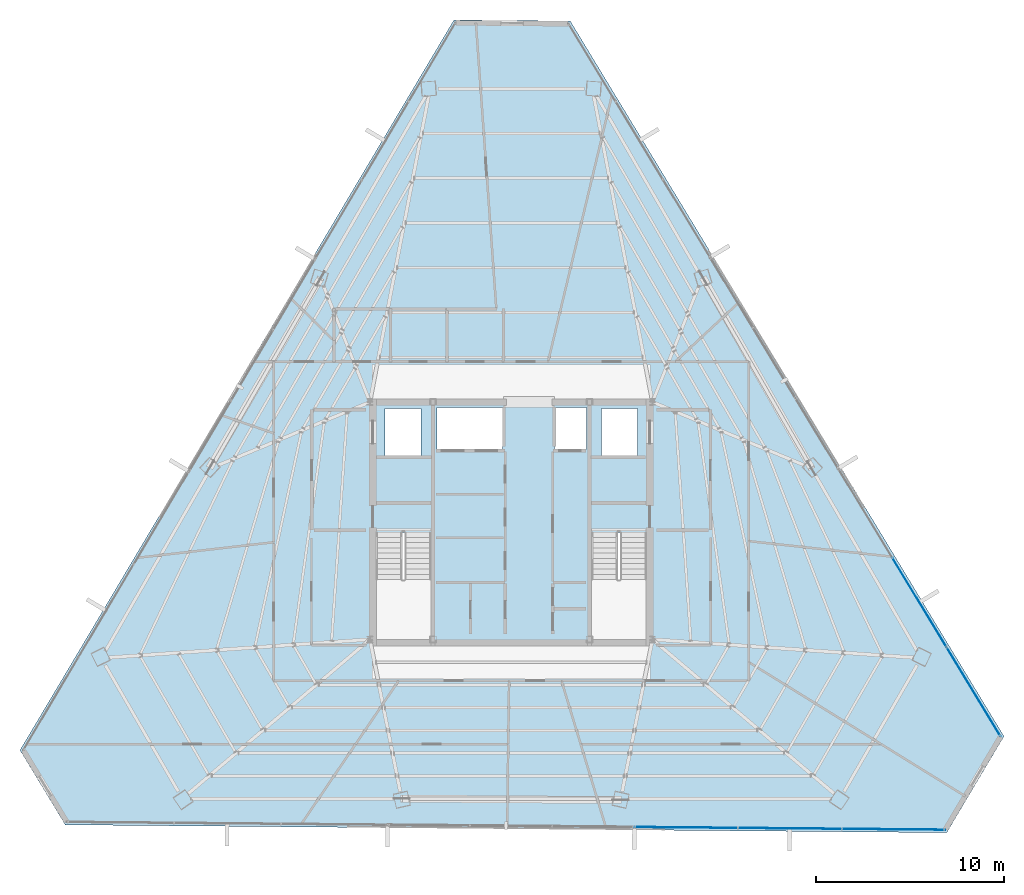
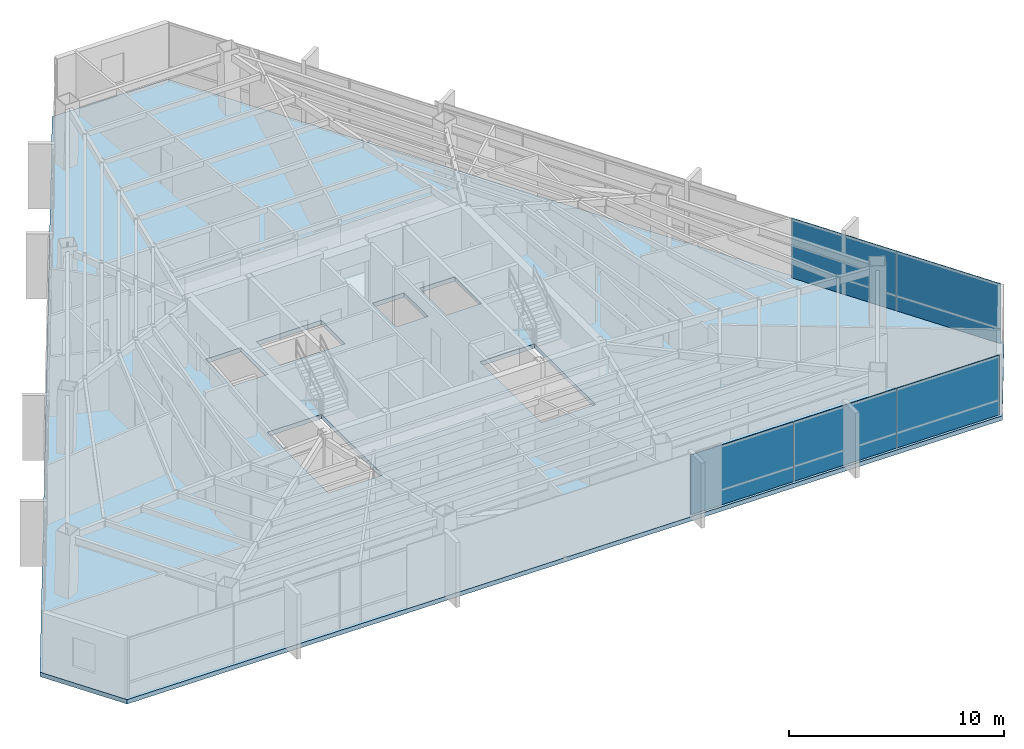
# One storey, part 38 of 49: 5 plates, 1 slab, 2 elements without a shape of their own.
"""IFC4 building model written with IfcOpenShell, lengths in metres."""

from ifc_helpers import new_model, si_unit, direction, frame, origin, origin_2d, place, context, subcontext, project, spatial, polyline, rectangle, outline, extrude, source, transform, mapped, material, layer, layer_set, type_object, type_shapes, element, aggregate, save


model = new_model("IFC4")

# Units and contexts
model_context = context("Model", 3, precision=1e-05, world=origin(), true_north=direction((0.0, 1.0)))
body_context = subcontext(model_context, "Body", "Model", "MODEL_VIEW")
ifc_project = project(units=[si_unit("LENGTHUNIT", "METRE"), si_unit("AREAUNIT", "SQUARE_METRE"), si_unit("VOLUMEUNIT", "CUBIC_METRE"), si_unit("PLANEANGLEUNIT", "RADIAN"), si_unit("MASSUNIT", "GRAM", prefix="KILO")], contexts=[model_context])

# Site, building, storey
site_placement = place(None, origin())
site = spatial("IfcSite", under=ifc_project, at=site_placement, CompositionType="ELEMENT")
building_placement = place(site_placement, origin())
building = spatial("IfcBuilding", under=site, at=building_placement, Name="Caelisora Broadcast Tower", CompositionType="ELEMENT")
storey_placement = place(building_placement, frame((0.0, 0.0, 233.5)))
storey = spatial("IfcBuildingStorey", under=building, at=storey_placement, Name="L61", CompositionType="ELEMENT", Elevation=233.5)

# Slab
ifc_material_1 = material(Name="Concrete 40 MPa (AS 3600 N40)", Category="concrete")
ifc_layer_1 = layer(ifc_material_1, 0.25, Name="Concrete 40 MPa (AS 3600 N40)")
ifc_layer_set_1 = layer_set([ifc_layer_1], Name="Concrete 40 MPa (AS 3600 N40)")
slab_type = type_object("IfcSlabType", Name="SL04", PredefinedType="FLOOR", material=ifc_layer_set_1)
slab_placement = place(storey_placement, frame((0.0, 0.0, -0.25)))
element("IfcSlab", 1, at=slab_placement, inside=storey, type_object=slab_type, Name="L61 suspended floor SL04", PredefinedType="FLOOR", context=body_context, shape_type="SweptSolid", body=[
    extrude(outline(polyline([(41.134033203125, 50.22607421875), (34.9609375, 50.281005859375), (11.926025390625, 11.52099609375), (14.327880859375, 7.55908203125), (61.1201171875, 7.14208984375), (64.158935546875, 12.256103515625), (41.134033203125, 50.22607421875)]), holes=[polyline([(30.820068359375, 17.39990234375), (33.739990234375, 17.39990234375), (33.739990234375, 23.080078125), (30.820068359375, 23.080078125), (30.820068359375, 17.39990234375)]), polyline([(42.260009765625, 17.39990234375), (45.179931640625, 17.39990234375), (45.179931640625, 23.080078125), (42.260009765625, 23.080078125), (42.260009765625, 17.39990234375)]), polyline([(42.800048828125, 27.14990234375), (44.699951171875, 27.14990234375), (44.699951171875, 29.64990234375), (42.800048828125, 29.64990234375), (42.800048828125, 27.14990234375)]), polyline([(40.300048828125, 27.5), (42.0, 27.5), (42.0, 29.699951171875), (40.300048828125, 29.699951171875), (40.300048828125, 27.5)]), polyline([(34.050048828125, 27.5), (37.550048828125, 27.5), (37.550048828125, 29.699951171875), (34.050048828125, 29.699951171875), (34.050048828125, 27.5)]), polyline([(31.300048828125, 27.14990234375), (33.199951171875, 27.14990234375), (33.199951171875, 29.64990234375), (31.300048828125, 29.64990234375), (31.300048828125, 27.14990234375)])]), origin(), (0.0, 0.0, 1.0), 0.25),
])

# Curtain wall, plates
ifc_material_2 = material(Name="Unitised Aluminium and Low-E Glass Curtain Wall", Category="glass")
curtain_wall_type = type_object("IfcCurtainWallType", Name="CW-Z5", PredefinedType="NOTDEFINED", material=ifc_material_2)
curtain_wall_1_placement = place(storey_placement, origin())
curtain_wall_1 = element("IfcCurtainWall", 2, at=curtain_wall_1_placement, inside=storey, type_object=curtain_wall_type, Name="L61 curtain wall CW-Z5", PredefinedType="NOTDEFINED")
ifc_material_3 = material(Name="Double Glazed Low-E Argon IGU", Category="glass")
ifc_layer_2 = layer(ifc_material_3, 0.028076171875, Name="Double Glazed Low-E Argon IGU")
ifc_layer_set_2 = layer_set([ifc_layer_2], Name="Double Glazed Low-E Argon IGU")
plate_type = type_object("IfcPlateType", Name="CWP-06", PredefinedType="CURTAIN_PANEL", material=ifc_layer_set_2)
shared_shape_1 = source(origin(), body_context, "Body", "SweptSolid", [
    extrude(rectangle(XDim=5.544921875, YDim=0.028076171875, at=origin_2d()), origin(), (0.0, 0.0, 1.0), 3.39990234375),
])
plate_1_placement = place(storey_placement, frame((59.67138671875, 19.3671875, 0.0), z_axis=(0.0, 0.0, 1.0), x_axis=(0.518474806022, -0.855092904614, 0.0)))
plate_1 = element("IfcPlate", 3, at=plate_1_placement, type_object=plate_type, Name="L61-CW-B03 glazed panel #2", PredefinedType="CURTAIN_PANEL", context=body_context, shape_type="MappedRepresentation", body=[
    mapped(shared_shape_1, transform((0.0, 0.0, 0.0), scale=1.0)),
])
plate_2_placement = place(storey_placement, frame((62.54638671875, 14.625732421875, 0.0), z_axis=(0.0, 0.0, 1.0), x_axis=(0.518474806022, -0.855092904614, 0.0)))
plate_2 = element("IfcPlate", 4, at=plate_2_placement, type_object=plate_type, Name="L61-CW-B03 glazed panel #3", PredefinedType="CURTAIN_PANEL", context=body_context, shape_type="MappedRepresentation", body=[
    mapped(shared_shape_1, transform((0.0, 0.0, 0.0), scale=1.0)),
])
aggregate(curtain_wall_1, [plate_1, plate_2])

curtain_wall_2_placement = place(storey_placement, origin())
curtain_wall_2 = element("IfcCurtainWall", 5, at=curtain_wall_2_placement, inside=storey, type_object=curtain_wall_type, Name="L61 curtain wall CW-Z5", PredefinedType="NOTDEFINED")
shared_shape_2 = source(origin(), body_context, "Body", "SweptSolid", [
    extrude(rectangle(XDim=5.497314453125, YDim=0.028076171875, at=origin_2d()), origin(), (0.0, 0.0, 1.0), 3.39990234375),
])
type_shapes(plate_type, [shared_shape_1, shared_shape_2])
plate_3_placement = place(storey_placement, frame((58.28662109375, 7.3173828125, 0.0), z_axis=(0.0, 0.0, 1.0), x_axis=(-0.999960384766, 0.008901061644, 0.0)))
plate_3 = element("IfcPlate", 6, at=plate_3_placement, type_object=plate_type, Name="L61-CW-B05 glazed panel #1", PredefinedType="CURTAIN_PANEL", context=body_context, shape_type="MappedRepresentation", body=[
    mapped(shared_shape_2, transform((0.0, 0.0, 0.0), scale=1.0)),
])
plate_4_placement = place(storey_placement, frame((52.78955078125, 7.366455078125, 0.0), z_axis=(0.0, 0.0, 1.0), x_axis=(-0.999960384766, 0.008901061644, 0.0)))
plate_4 = element("IfcPlate", 7, at=plate_4_placement, type_object=plate_type, Name="L61-CW-B05 glazed panel #2", PredefinedType="CURTAIN_PANEL", context=body_context, shape_type="MappedRepresentation", body=[
    mapped(shared_shape_2, transform((0.0, 0.0, 0.0), scale=1.0)),
])
plate_5_placement = place(storey_placement, frame((47.29248046875, 7.415283203125, 0.0), z_axis=(0.0, 0.0, 1.0), x_axis=(-0.999960384766, 0.008901061644, 0.0)))
plate_5 = element("IfcPlate", 8, at=plate_5_placement, type_object=plate_type, Name="L61-CW-B05 glazed panel #3", PredefinedType="CURTAIN_PANEL", context=body_context, shape_type="MappedRepresentation", body=[
    mapped(shared_shape_2, transform((0.0, 0.0, 0.0), scale=1.0)),
])
aggregate(curtain_wall_2, [plate_3, plate_4, plate_5])

save(model, "model.ifc")
